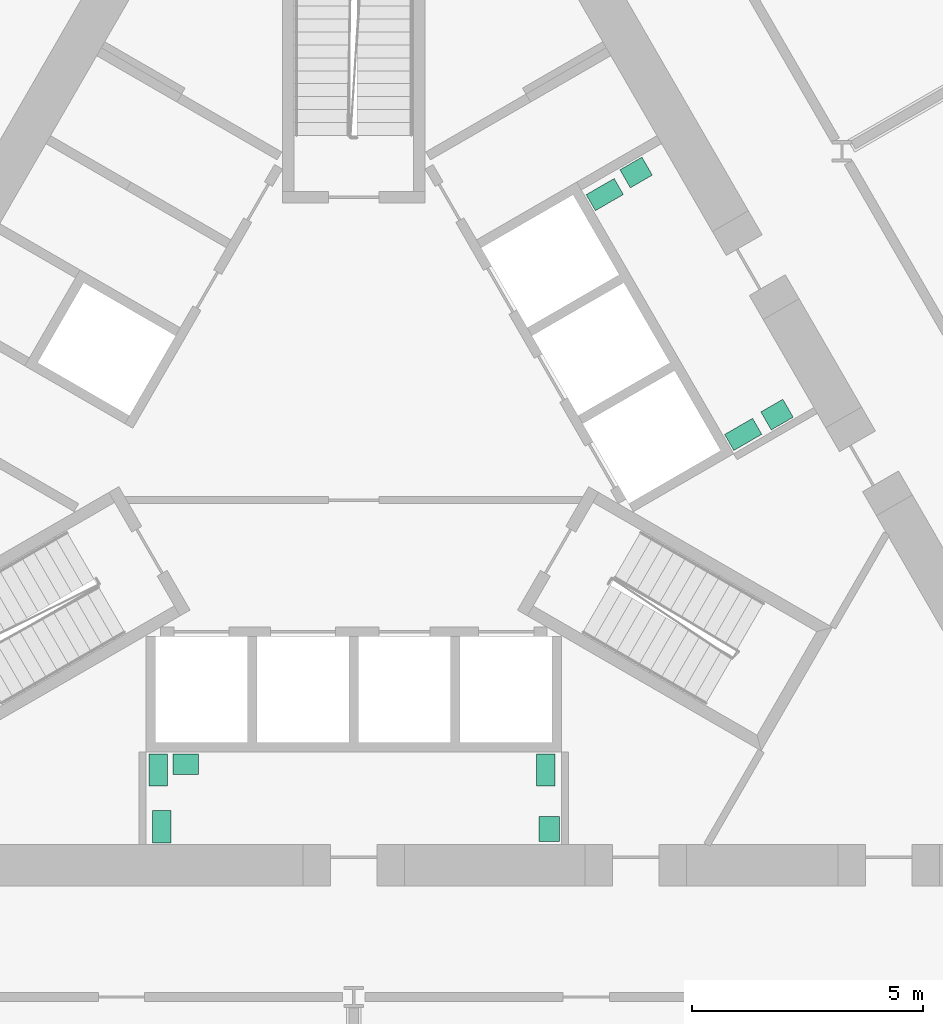
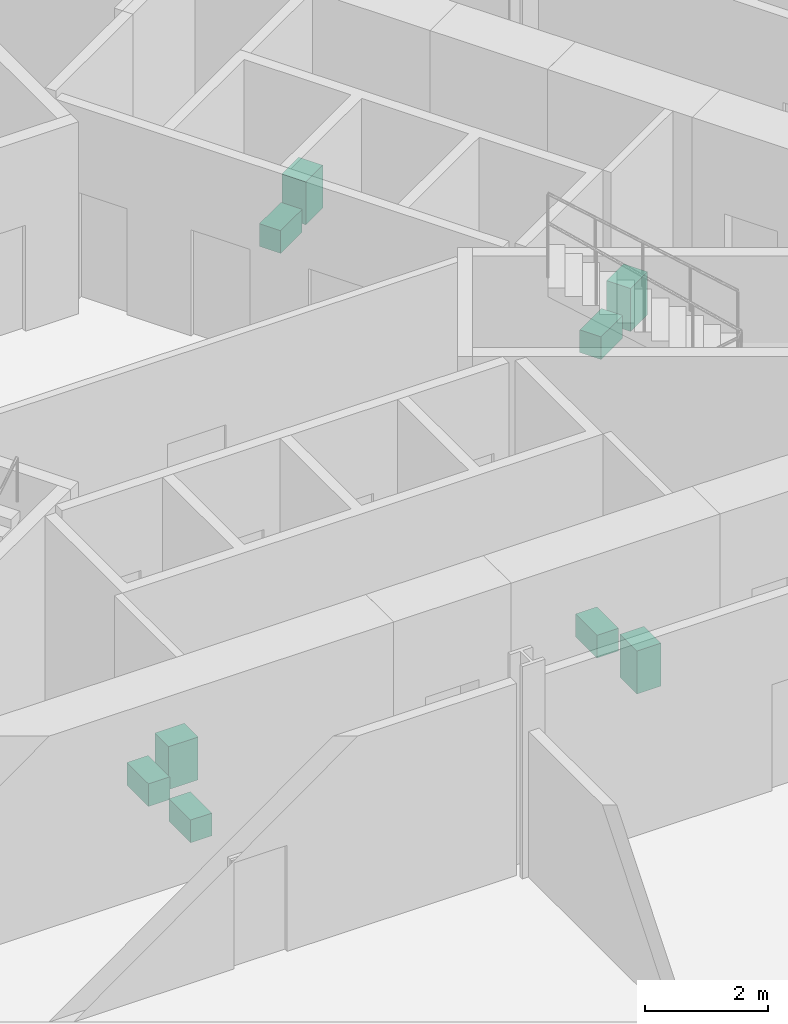
# One storey, part 19 of 20: 9 sanitary terminals.
"""IFC4 building model written with IfcOpenShell, lengths in metres."""

from ifc_helpers import new_model, si_unit, direction, frame, origin, origin_2d, place, context, subcontext, project, spatial, rectangle, extrude, material, type_object, element, save


model = new_model("IFC4")

# Units and contexts
model_context = context("Model", 3, precision=1e-05, world=origin(), true_north=direction((0.0, 1.0)))
body_context = subcontext(model_context, "Body", "Model", "MODEL_VIEW")
ifc_project = project(units=[si_unit("LENGTHUNIT", "METRE"), si_unit("AREAUNIT", "SQUARE_METRE"), si_unit("VOLUMEUNIT", "CUBIC_METRE"), si_unit("PLANEANGLEUNIT", "RADIAN"), si_unit("MASSUNIT", "GRAM", prefix="KILO")], contexts=[model_context])

# Site, building, storey
site_placement = place(None, origin())
site = spatial("IfcSite", under=ifc_project, at=site_placement, CompositionType="ELEMENT")
building_placement = place(site_placement, origin())
building = spatial("IfcBuilding", under=site, at=building_placement, Name="Cormorant Prow Tower", CompositionType="ELEMENT")
storey_placement = place(building_placement, frame((0.0, 0.0, 55.199951171875)))
storey = spatial("IfcBuildingStorey", under=building, at=storey_placement, Name="L11", CompositionType="ELEMENT", Elevation=55.199951171875)

# Sanitary terminals
ifc_material_1 = material(Name="Vitreous china")
sanitary_terminal_type_1 = type_object("IfcSanitaryTerminalType", Name="Wash basin 550x450", PredefinedType="WASHHANDBASIN", material=ifc_material_1)
for number, where, z_axis, x_axis, name in (
    (1, (4.235107421875, -8.574951171875, 0.0), (0.0, 0.0, 1.0), (0.0, 1.0, 0.0), "Wash basin"),
    (2, (-3.639892578125, -7.1708984375, 0.0), (0.0, 0.0, 1.0), (-1.0, 0.0, 0.0), "Wash basin"),
    (3, (6.118896484375, 5.651611328125, 0.0), (0.0, 0.0, 1.0), (-0.866042856549, -0.499969769706, 0.0), "Wash basin"),
    (4, (9.172119140625, 0.405517578125, 0.0), (0.0, 0.0, 1.0), (0.866016677006, 0.500015114919, 0.0), "Wash basin"),
):
    element("IfcSanitaryTerminal", number, at=place(storey_placement, frame(where, z_axis=z_axis, x_axis=x_axis)), inside=storey, type_object=sanitary_terminal_type_1, Name=name, PredefinedType="WASHHANDBASIN", context=body_context, shape_type="SweptSolid", body=[
        extrude(rectangle(XDim=0.550048828125, YDim=0.449951171875, at=origin_2d()), origin(), (0.0, 0.0, 1.0), 0.85009765625),
    ])
ifc_material_2 = material(Name="Vitreous china")
sanitary_terminal_type_2 = type_object("IfcSanitaryTerminalType", Name="Water closet 400x700", PredefinedType="WCSEAT", material=ifc_material_2)
for number, where, z_axis, x_axis, name in (
    (5, (-4.239990234375, -7.2958984375, 0.0), (0.0, 0.0, 1.0), (-1.0, 0.0, 0.0), "Water closet"),
    (6, (4.159912109375, -7.2958984375, 0.0), (0.0, 0.0, 1.0), (-1.0, 0.0, 0.0), "Water closet"),
    (7, (-4.159912109375, -8.52490234375, 0.0), (0.0, 0.0, 1.0), (1.0, 0.0, 0.0), "Water closet"),
    (8, (8.4384765625, -0.02392578125, 0.0), (0.0, 0.0, 1.0), (0.5, -0.866025403784, 0.0), "Water closet"),
    (9, (5.438720703125, 5.172119140625, 0.0), (0.0, 0.0, 1.0), (0.5, -0.866025403784, 0.0), "Water closet"),
):
    element("IfcSanitaryTerminal", number, at=place(storey_placement, frame(where, z_axis=z_axis, x_axis=x_axis)), inside=storey, type_object=sanitary_terminal_type_2, Name=name, PredefinedType="WCSEAT", context=body_context, shape_type="SweptSolid", body=[
        extrude(rectangle(XDim=0.39990234375, YDim=0.699951171875, at=origin_2d()), origin(), (0.0, 0.0, 1.0), 0.449951171875),
    ])

save(model, "model.ifc")
